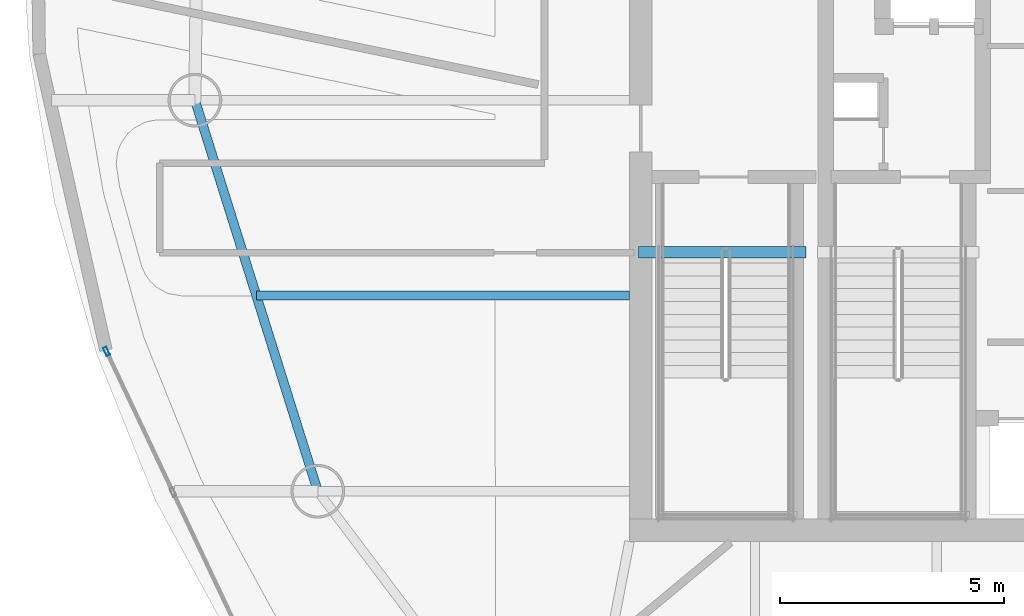
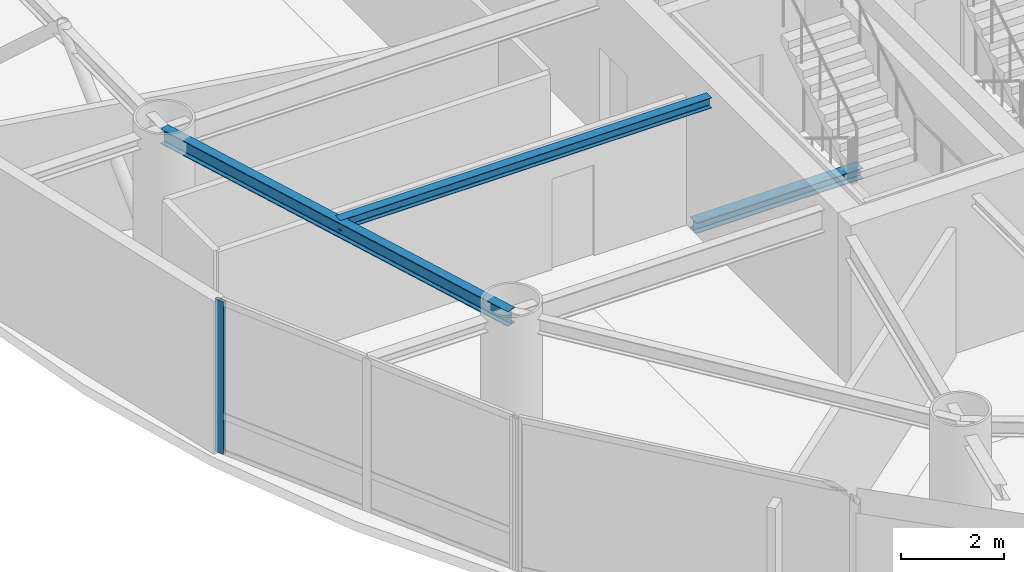
# One storey, part 4 of 20: 3 beams, 1 member, 1 element without a shape of its own.
"""IFC4 building model written with IfcOpenShell, lengths in metres."""

from ifc_helpers import new_model, si_unit, direction, frame, origin, origin_2d, place, context, subcontext, project, spatial, hollow_rectangle, i_section, extrude, material, layer, layer_set, material_profile, profile_set, type_object, element, aggregate, save


model = new_model("IFC4")

# Units and contexts
model_context = context("Model", 3, precision=1e-05, world=origin(), true_north=direction((0.0, 1.0)))
body_context = subcontext(model_context, "Body", "Model", "MODEL_VIEW")
ifc_project = project(units=[si_unit("LENGTHUNIT", "METRE"), si_unit("AREAUNIT", "SQUARE_METRE"), si_unit("VOLUMEUNIT", "CUBIC_METRE"), si_unit("PLANEANGLEUNIT", "RADIAN"), si_unit("MASSUNIT", "GRAM", prefix="KILO")], contexts=[model_context])

# Site, building, storey
site_placement = place(None, origin())
site = spatial("IfcSite", under=ifc_project, at=site_placement, CompositionType="ELEMENT")
building_placement = place(site_placement, origin())
building = spatial("IfcBuilding", under=site, at=building_placement, Name="Bramvorn Convention Spire", CompositionType="ELEMENT")
storey_placement = place(building_placement, frame((0.0, 0.0, 202.0)))
storey = spatial("IfcBuildingStorey", under=building, at=storey_placement, Name="L51", CompositionType="ELEMENT", Elevation=202.0)

# Beams
ifc_material_1 = material(Name="Steel CSA G40.21 Grade 350 (350W)", Category="steel")
ifc_material_profile_1 = material_profile(ifc_material_1, i_section(OverallWidth=0.201904296875, OverallDepth=0.2470703125, WebThickness=0.00732421875, FlangeThickness=0.010986328125, FilletRadius=0.011962890625, at=origin_2d()))
ifc_profile_set_1 = profile_set([ifc_material_profile_1], Name="Steel CSA G40.21 Grade 350 (350W) - W250X49")
beam_type_1 = type_object("IfcBeamType", Name="BM-W250X49", PredefinedType="JOIST", material=ifc_profile_set_1)
beam_1_placement = place(storey_placement, frame((26.75, 24.039794921875, 3.49658203125), z_axis=(-1.0, 0.0, 0.0), x_axis=(0.0, -1.0, 0.0)))
element("IfcBeam", 1, at=beam_1_placement, inside=storey, type_object=beam_type_1, Name="L51 composite floor joist 11", PredefinedType="JOIST", context=body_context, shape_type="SweptSolid", body=[
    extrude(i_section(OverallWidth=0.201904296875, OverallDepth=0.2470703125, WebThickness=0.00732421875, FlangeThickness=0.010986328125, FilletRadius=0.011962890625, at=origin_2d()), origin(), (0.0, 0.0, 1.0), 8.33251953125),
])
ifc_material_profile_2 = material_profile(ifc_material_1, i_section(OverallWidth=0.25390625, OverallDepth=0.2529296875, WebThickness=0.008544921875, FlangeThickness=0.01416015625, FilletRadius=0.011962890625, at=origin_2d()))
ifc_profile_set_2 = profile_set([ifc_material_profile_2], Name="Steel CSA G40.21 Grade 350 (350W) - W250X73")
beam_type_2 = type_object("IfcBeamType", Name="BM-W250X73", PredefinedType="BEAM", material=ifc_profile_set_2)
beam_2_placement = place(storey_placement, frame((26.949951171875, 25.010009765625, -0.12646484375), z_axis=(1.0, 0.0, 0.0), x_axis=(0.0, 1.0, 0.0)))
element("IfcBeam", 2, at=beam_2_placement, inside=storey, type_object=beam_type_2, Name="L51 ST1 stair arrival header beam", PredefinedType="BEAM", context=body_context, shape_type="SweptSolid", body=[
    extrude(i_section(OverallWidth=0.25390625, OverallDepth=0.2529296875, WebThickness=0.008544921875, FlangeThickness=0.01416015625, FilletRadius=0.011962890625, at=origin_2d()), origin(), (0.0, 0.0, 1.0), 3.739990234375),
])
ifc_material_profile_3 = material_profile(ifc_material_1, i_section(OverallWidth=0.205078125, OverallDepth=0.35400390625, WebThickness=0.009521484375, FlangeThickness=0.016845703125, FilletRadius=0.014892578125, at=origin_2d()))
ifc_profile_set_3 = profile_set([ifc_material_profile_3], Name="Steel CSA G40.21 Grade 350 (350W) - W360X79")
beam_type_3 = type_object("IfcBeamType", Name="BM-W360X79", PredefinedType="JOIST", material=ifc_profile_set_3)
beam_3_placement = place(storey_placement, frame((17.04541015625, 28.406494140625, 3.443115234375), z_axis=(0.299747542929, -0.954018558786, 0.0), x_axis=(0.954018558786, 0.299747542929, 0.0)))
element("IfcBeam", 3, at=beam_3_placement, inside=storey, type_object=beam_type_3, Name="L51 mega-column ring beam 11", PredefinedType="JOIST", context=body_context, shape_type="SweptSolid", body=[
    extrude(i_section(OverallWidth=0.205078125, OverallDepth=0.35400390625, WebThickness=0.009521484375, FlangeThickness=0.016845703125, FilletRadius=0.014892578125, at=origin_2d()), origin(), (0.0, 0.0, 1.0), 9.15478515625),
])

# Curtain wall, member
ifc_material_2 = material(Name="Anodised Bronze Unitised Curtain Wall", Category="aluminium")
ifc_layer = layer(ifc_material_2, 0.179931640625)
ifc_layer_set = layer_set([ifc_layer], Name="Anodised Bronze Unitised Curtain Wall - CW-OFF-FRIT")
curtain_wall_type = type_object("IfcCurtainWallType", Name="CW-OFF-FRIT", PredefinedType="USERDEFINED", material=ifc_layer_set)
curtain_wall_placement = place(storey_placement, origin())
curtain_wall = element("IfcCurtainWall", 4, at=curtain_wall_placement, inside=storey, type_object=curtain_wall_type, Name="L51 fritted glass curtain wall 17", ObjectType="UNITISED CURTAIN WALL", PredefinedType="USERDEFINED")
ifc_material_3 = material(Name="Anodised Bronze Aluminium 6063-T6", Category="aluminium")
ifc_material_profile_4 = material_profile(ifc_material_3, hollow_rectangle(XDim=0.080078125, YDim=0.199951171875, WallThickness=0.00390625, InnerFilletRadius=0.0009765625, OuterFilletRadius=0.00390625, at=origin_2d()))
ifc_profile_set_4 = profile_set([ifc_material_profile_4], Name="Anodised Bronze Aluminium 6063-T6 - CWM80X200")
member_type = type_object("IfcMemberType", Name="CW-MUL-180", PredefinedType="MULLION", material=ifc_profile_set_4)
member_placement = place(storey_placement, frame((15.071533203125, 22.79638671875, 0.0), z_axis=(0.0, 0.0, 1.0), x_axis=(-0.904383555364, -0.426720499609, 0.0)))
member = element("IfcMember", 5, at=member_placement, type_object=member_type, Name="CW3 mullion 3", PredefinedType="MULLION", context=body_context, shape_type="SweptSolid", body=[
    extrude(hollow_rectangle(XDim=0.080078125, YDim=0.199951171875, WallThickness=0.00390625, InnerFilletRadius=0.0009765625, OuterFilletRadius=0.00390625, at=origin_2d()), origin(), (0.0, 0.0, 1.0), 3.6201171875),
])
aggregate(curtain_wall, [member])

save(model, "model.ifc")
